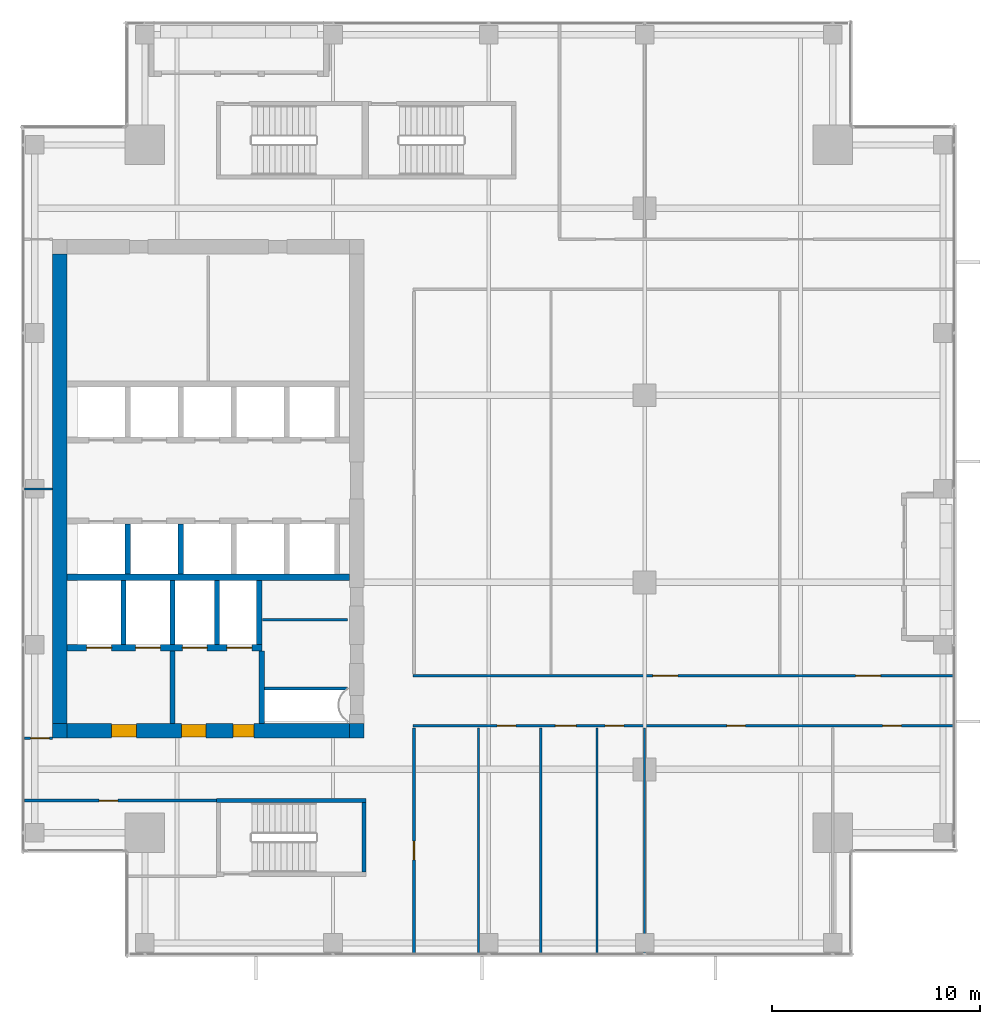
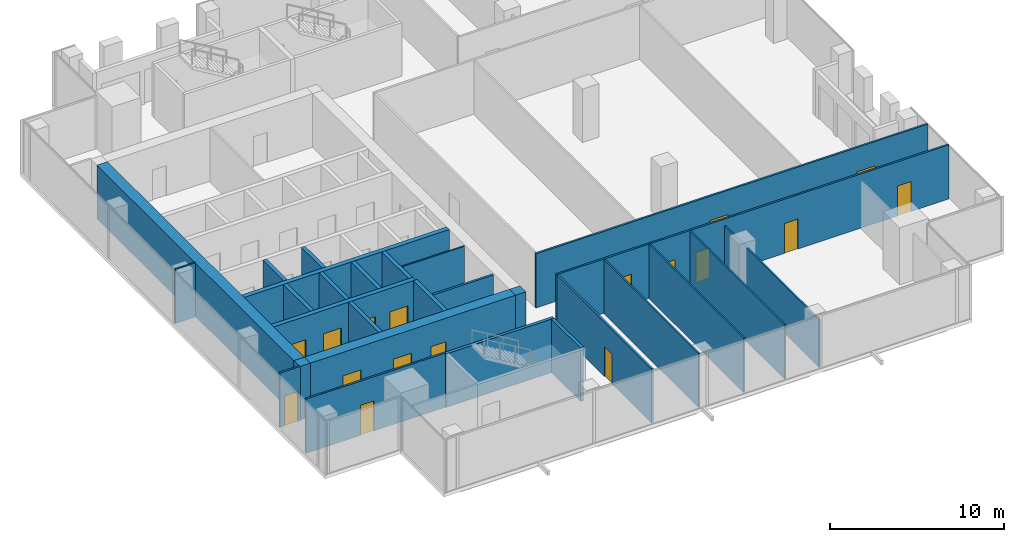
# One storey, part 31 of 36: 28 walls, 17 doors, 17 openings.
"""IFC4 building model written with IfcOpenShell, lengths in metres."""

import ifcopenshell
import ifcopenshell.guid

model = None  # the IFC model being written
_history = None  # IfcOwnerHistory: only IFC2X3 demands one
_inside = {}  # id of a spatial element -> (the spatial element, [elements in it])
_under = {}  # id of a project, library or spatial element -> (it, [spatial elements below it])
_declared = {}  # id of a project -> (the project, [libraries it declares])
_typed = {}  # id of a type object -> (the type object, [elements of that type])
_made_of = {}  # id of a material, layer set ... -> (it, [elements and type objects made of it])


def new_model(schema):
    """Start an empty IFC model of exactly this schema.

    Asked for "IFC4X3", IfcOpenShell would pick the latest addendum, in which some entities
    have other attributes; the version numbers below select the first issue.
    IFC2X3 requires an IfcOwnerHistory on every rooted entity: one is made here for all.
    """
    global model, _history
    if schema == "IFC4X3":
        model = ifcopenshell.file(schema_version=(4, 3, 0, 0))
    else:
        model = ifcopenshell.file(schema=schema)
    _inside.clear()
    _under.clear()
    _declared.clear()
    _typed.clear()
    _made_of.clear()
    _history = None
    if model.schema == "IFC2X3":
        org = make("IfcOrganization", Name="unknown")
        user = make(
            "IfcPersonAndOrganization",
            ThePerson=make("IfcPerson", FamilyName="unknown"),
            TheOrganization=org,
        )
        app = make(
            "IfcApplication",
            ApplicationDeveloper=org,
            Version="unknown",
            ApplicationFullName="unknown",
            ApplicationIdentifier="unknown",
        )
        _history = make(
            "IfcOwnerHistory",
            OwningUser=user,
            OwningApplication=app,
            ChangeAction="ADDED",
            CreationDate=0,
        )
    return model


def make(cls, **values):
    """One entity of the class cls with the attributes given. An attribute that is None is left unset."""
    return model.create_entity(
        cls, **{name: value for name, value in values.items() if value is not None}
    )


def rooted(cls, **values):
    """An entity with a GlobalId (a new one), such as an element, a storey or a relation."""
    return make(cls, GlobalId=ifcopenshell.guid.new(), OwnerHistory=_history, **values)


def si_unit(unit_type, name, prefix=None):
    """IfcSIUnit, for example si_unit("LENGTHUNIT", "METRE", prefix="MILLI")."""
    return make("IfcSIUnit", UnitType=unit_type, Prefix=prefix, Name=name)


def assignment(units):
    """IfcUnitAssignment: the units of a project."""
    return None if units is None else make("IfcUnitAssignment", Units=units)


def point(xyz):
    """IfcCartesianPoint."""
    return None if xyz is None else make("IfcCartesianPoint", Coordinates=xyz)


def direction(xyz):
    """IfcDirection."""
    return None if xyz is None else make("IfcDirection", DirectionRatios=xyz)


def frame(location, z_axis=None, x_axis=None):
    """IfcAxis2Placement3D, a coordinate frame: its origin and axes. An axis left out is left unset."""
    return make(
        "IfcAxis2Placement3D",
        Location=point(location),
        Axis=direction(z_axis),
        RefDirection=direction(x_axis),
    )


def frame_2d(location, x_axis=None):
    """IfcAxis2Placement2D, a coordinate frame in the plane: its origin and x axis."""
    return make(
        "IfcAxis2Placement2D", Location=point(location), RefDirection=direction(x_axis)
    )


def origin():
    """The frame at (0, 0, 0) with its axes left unset."""
    return frame((0.0, 0.0, 0.0))


def place(relative_to, where):
    """IfcLocalPlacement: puts the frame where relative to a parent placement (None: the world)."""
    return make(
        "IfcLocalPlacement", PlacementRelTo=relative_to, RelativePlacement=where
    )


def context(
    kind, dimensions, precision=None, world=None, true_north=None, identifier=None
):
    """IfcGeometricRepresentationContext, for example the 3D "Model" context."""
    return make(
        "IfcGeometricRepresentationContext",
        ContextIdentifier=identifier,
        ContextType=kind,
        CoordinateSpaceDimension=dimensions,
        Precision=precision,
        WorldCoordinateSystem=world,
        TrueNorth=true_north,
    )


def subcontext(parent, identifier, kind, view, scale=None):
    """IfcGeometricRepresentationSubContext, for example "Body" below "Model"."""
    return make(
        "IfcGeometricRepresentationSubContext",
        ContextIdentifier=identifier,
        ContextType=kind,
        ParentContext=parent,
        TargetScale=scale,
        TargetView=view,
    )


def project(units=None, contexts=None):
    """IfcProject with its units and contexts."""
    return rooted(
        "IfcProject",
        Name="project",
        RepresentationContexts=contexts,
        UnitsInContext=assignment(units),
    )


def spatial(cls, under=None, at=None, **own):
    """A site, building, storey or space (cls), placed at a placement, below another one or the project."""
    s = rooted(cls, ObjectPlacement=at, **own)
    if under is not None:
        _under.setdefault(under.id(), (under, []))[1].append(s)
    return s


def profile(cls, at=None, kind="AREA", **sizes):
    """A parametric profile (cls). Its sizes go by their IFC names, for example OverallWidth=200.0."""
    return make(cls, ProfileType=kind, Position=at, **sizes)


def rectangle(**sizes):
    """IfcRectangleProfileDef."""
    return profile("IfcRectangleProfileDef", **sizes)


def extrude(swept, where, along, depth):
    """IfcExtrudedAreaSolid: the profile swept, set in the frame where, extruded along a direction by depth."""
    return make(
        "IfcExtrudedAreaSolid",
        SweptArea=swept,
        Position=where,
        ExtrudedDirection=direction(along),
        Depth=depth,
    )


def shape(context_of_items, identifier, shape_type, items):
    """IfcShapeRepresentation: the items that make up one representation, for example the "Body"."""
    return make(
        "IfcShapeRepresentation",
        ContextOfItems=context_of_items,
        RepresentationIdentifier=identifier,
        RepresentationType=shape_type,
        Items=items,
    )


def source(mapping_origin, context_of_items, identifier, shape_type, items):
    """IfcRepresentationMap: a shape defined once, which mapped items show again and again."""
    return make(
        "IfcRepresentationMap",
        MappingOrigin=mapping_origin,
        MappedRepresentation=shape(context_of_items, identifier, shape_type, items),
    )


def transform(
    local_origin,
    x_axis=None,
    y_axis=None,
    z_axis=None,
    scale=None,
    scale2=None,
    scale3=None,
    uniform=True,
):
    """IfcCartesianTransformationOperator3D, or its non-uniform kind. x_axis, y_axis, z_axis: its Axis1, 2, 3."""
    if uniform:
        return make(
            "IfcCartesianTransformationOperator3D",
            Axis1=direction(x_axis),
            Axis2=direction(y_axis),
            LocalOrigin=point(local_origin),
            Scale=scale,
            Axis3=direction(z_axis),
        )
    return make(
        "IfcCartesianTransformationOperator3DnonUniform",
        Axis1=direction(x_axis),
        Axis2=direction(y_axis),
        LocalOrigin=point(local_origin),
        Scale=scale,
        Axis3=direction(z_axis),
        Scale2=scale2,
        Scale3=scale3,
    )


def mapped(mapping_source, mapping_target):
    """IfcMappedItem: shows the shape of a source again, moved by a transform."""
    return make(
        "IfcMappedItem", MappingSource=mapping_source, MappingTarget=mapping_target
    )


def material(Name=None, Category=None):
    """IfcMaterial."""
    return make("IfcMaterial", Name=Name, Category=Category)


def layer(
    of_material, thickness, ventilated=None, Name=None, Category=None, Priority=None
):
    """IfcMaterialLayer: one layer of a wall or slab, of a material (None: an air gap)."""
    return make(
        "IfcMaterialLayer",
        Material=of_material,
        LayerThickness=thickness,
        IsVentilated=ventilated,
        Name=Name,
        Category=Category,
        Priority=Priority,
    )


def layer_set(layers, Name=None):
    """IfcMaterialLayerSet."""
    return make("IfcMaterialLayerSet", MaterialLayers=layers, LayerSetName=Name)


def made_of(thing, what):
    """Note that an element or type object is made of a material, layer set ...; save() writes the relation."""
    if what is not None:
        _made_of.setdefault(what.id(), (what, []))[1].append(thing)
    return thing


def type_object(cls, material=None, **own):
    """A type object (cls), such as IfcWallType, which elements share."""
    return made_of(rooted(cls, **own), material)


def element(
    cls,
    number,
    at=None,
    inside=None,
    cuts=None,
    type_object=None,
    material=None,
    context=None,
    identifier="Body",
    shape_type=None,
    held_by="IfcProductDefinitionShape",
    body=None,
    shapes=None,
    **own,
):
    """One element of the class cls, such as IfcWall. Its Tag is "e" and its number.

    at: its placement. inside: the storey or other place that contains it. cuts: it is an
    opening in that element (IfcRelVoidsElement). A single representation is given by context,
    identifier, shape_type and body (its items); several are given by shapes. held_by: the class
    of the entity that holds the representations. save() writes the other relations.
    """
    e = rooted(cls, Tag="e%d" % number, ObjectPlacement=at, **own)
    if body is not None:
        shapes = [shape(context, identifier, shape_type, body)]
    if shapes is not None:
        e.Representation = make(held_by, Representations=shapes)
    if inside is not None:
        _inside.setdefault(inside.id(), (inside, []))[1].append(e)
    if cuts is not None:
        rooted(
            "IfcRelVoidsElement", RelatingBuildingElement=cuts, RelatedOpeningElement=e
        )
    if type_object is not None:
        _typed.setdefault(type_object.id(), (type_object, []))[1].append(e)
    return made_of(e, material)


def fill(opening, filler):
    """IfcRelFillsElement: the door or window that sits in an opening."""
    return rooted(
        "IfcRelFillsElement",
        RelatingOpeningElement=opening,
        RelatedBuildingElement=filler,
    )


def aggregate(whole, parts):
    """IfcRelAggregates: a whole, such as a stair, and the parts it consists of."""
    return rooted("IfcRelAggregates", RelatingObject=whole, RelatedObjects=parts)


def save(model, path):
    """Write the relations noted so far, then the file.

    IfcRelAggregates (storeys below a building ...), IfcRelContainedInSpatialStructure (elements
    in a storey), IfcRelDefinesByType, IfcRelAssociatesMaterial and IfcRelDeclares: one each for
    every whole, place, type object, material and project.
    """
    for whole, parts in _under.values():
        aggregate(whole, parts)
    for where, things in _inside.values():
        rooted(
            "IfcRelContainedInSpatialStructure",
            RelatedElements=things,
            RelatingStructure=where,
        )
    for kind, things in _typed.values():
        rooted("IfcRelDefinesByType", RelatedObjects=things, RelatingType=kind)
    for what, things in _made_of.values():
        rooted("IfcRelAssociatesMaterial", RelatedObjects=things, RelatingMaterial=what)
    for by, libraries in _declared.values():
        rooted("IfcRelDeclares", RelatingContext=by, RelatedDefinitions=libraries)
    model.write(path)


model = new_model("IFC4")

# Units and contexts
model_context = context("Model", 3, precision=1e-05, world=origin(), true_north=direction((0.0, 1.0)))
body_context = subcontext(model_context, "Body", "Model", "MODEL_VIEW")
ifc_project = project(units=[si_unit("LENGTHUNIT", "METRE"), si_unit("AREAUNIT", "SQUARE_METRE"), si_unit("VOLUMEUNIT", "CUBIC_METRE"), si_unit("PLANEANGLEUNIT", "RADIAN"), si_unit("MASSUNIT", "GRAM", prefix="KILO")], contexts=[model_context])

# Site, building, storey
site_placement = place(None, origin())
site = spatial("IfcSite", under=ifc_project, at=site_placement, CompositionType="ELEMENT")
building_placement = place(site_placement, origin())
building = spatial("IfcBuilding", under=site, at=building_placement, Name="Khomas Fold Tower", CompositionType="ELEMENT")
storey_placement = place(building_placement, frame((0.0, 0.0, 226.199951171875)))
storey = spatial("IfcBuildingStorey", under=building, at=storey_placement, Name="L50", CompositionType="ELEMENT", Elevation=226.199951171875)

# Walls
ifc_material_1 = material(Name="Concrete C50/60", Category="concrete")
ifc_layer_1 = layer(ifc_material_1, 0.199951171875)
ifc_layer_set_1 = layer_set([ifc_layer_1], Name="Concrete C50/60")
wall_type_1 = type_object("IfcWallType", Name="Stair wall 200", PredefinedType="SHEAR", material=ifc_layer_set_1)
shared_shape_1 = source(origin(), body_context, "Body", "SweptSolid", [
    extrude(rectangle(XDim=7.2001953125, YDim=0.199951171875, at=frame_2d((3.60009765625, 0.0))), origin(), (0.0, 0.0, 1.0), 3.75),
])
wall_1_placement = place(storey_placement, frame((13.89990234375, 12.0, 0.0), z_axis=(0.0, 0.0, 1.0), x_axis=(1.0, 0.0, 0.0)))
element("IfcWall", 1, at=wall_1_placement, inside=storey, type_object=wall_type_1, Name="Stair wall SW-ST2-NH", PredefinedType="SHEAR", context=body_context, shape_type="MappedRepresentation", body=[
    mapped(shared_shape_1, transform((0.0, 0.0, 0.0))),
])
shared_shape_2 = source(origin(), body_context, "Body", "SweptSolid", [
    extrude(rectangle(XDim=3.349853515625, YDim=0.199951171875, at=frame_2d((1.6748046875, 0.0))), origin(), (0.0, 0.0, 1.0), 3.75),
])
wall_2_placement = place(storey_placement, frame((21.0, 8.550048828125, 0.0), z_axis=(0.0, 0.0, 1.0), x_axis=(0.0, 1.0, 0.0)))
element("IfcWall", 2, at=wall_2_placement, inside=storey, type_object=wall_type_1, Name="Stair wall SW-ST2-E", PredefinedType="SHEAR", context=body_context, shape_type="MappedRepresentation", body=[
    mapped(shared_shape_2, transform((0.0, 0.0, 0.0))),
])
ifc_material_2 = material(Name="Concrete C50/60", Category="concrete")
ifc_layer_2 = layer(ifc_material_2, 0.25)
ifc_layer_set_2 = layer_set([ifc_layer_2], Name="Concrete C50/60")
wall_type_2 = type_object("IfcWallType", Name="Shaft wall 250", PredefinedType="STANDARD", material=ifc_layer_set_2)
shared_shape_3 = source(origin(), body_context, "Body", "SweptSolid", [
    extrude(rectangle(XDim=3.10009765625, YDim=0.25, at=frame_2d((1.550048828125, 0.0))), origin(), (0.0, 0.0, 1.0), 3.75),
])
for number, where, z_axis, x_axis, name in (
    (3, (9.425048828125, 19.5, 0.0), (0.0, 0.0, 1.0), (0.0, 1.0, 0.0), "Core wall SW-FS-P1"),
    (4, (11.77490234375, 19.5, 0.0), (0.0, 0.0, 1.0), (0.0, 1.0, 0.0), "Core wall SW-FS-P2"),
    (5, (13.925048828125, 19.5, 0.0), (0.0, 0.0, 1.0), (0.0, 1.0, 0.0), "Core wall SW-FS-P3"),
    (6, (15.949951171875, 19.5, 0.0), (0.0, 0.0, 1.0), (0.0, 1.0, 0.0), "Core wall SW-FS-PE"),
):
    element("IfcWall", number, at=place(storey_placement, frame(where, z_axis=z_axis, x_axis=x_axis)), inside=storey, type_object=wall_type_2, Name=name, PredefinedType="STANDARD", context=body_context, shape_type="MappedRepresentation", body=[
        mapped(shared_shape_3, transform((0.0, 0.0, 0.0))),
    ])
shared_shape_4 = source(origin(), body_context, "Body", "SweptSolid", [
    extrude(rectangle(XDim=2.400146484375, YDim=0.25, at=frame_2d((1.2001953125, 0.0))), origin(), (0.0, 0.0, 1.0), 3.75),
])
for number, where, z_axis, x_axis, name in (
    (7, (9.625, 22.89990234375, 0.0), (0.0, 0.0, 1.0), (0.0, 1.0, 0.0), "Core wall SW-HRS-P1"),
    (8, (12.175048828125, 22.89990234375, 0.0), (0.0, 0.0, 1.0), (0.0, 1.0, 0.0), "Core wall SW-HRS-P2"),
):
    element("IfcWall", number, at=place(storey_placement, frame(where, z_axis=z_axis, x_axis=x_axis)), inside=storey, type_object=wall_type_2, Name=name, PredefinedType="STANDARD", context=body_context, shape_type="MappedRepresentation", body=[
        mapped(shared_shape_4, transform((0.0, 0.0, 0.0))),
    ])

# Wall, openings, doors
ifc_material_3 = material(Name="Concrete C60/75", Category="concrete")
ifc_layer_3 = layer(ifc_material_3, 0.699951171875)
ifc_layer_set_3 = layer_set([ifc_layer_3], Name="Concrete C60/75")
wall_type_3 = type_object("IfcWallType", Name="Core wall 700", PredefinedType="SHEAR", material=ifc_layer_set_3)
shared_shape_5 = source(origin(), body_context, "Body", "SweptSolid", [
    extrude(rectangle(XDim=13.60009765625, YDim=0.699951171875, at=frame_2d((6.800048828125, 0.0))), origin(), (0.0, 0.0, 1.0), 3.75),
])
wall_3_placement = place(storey_placement, frame((6.699951171875, 15.35009765625, 0.0), z_axis=(0.0, 0.0, 1.0), x_axis=(1.0, 0.0, 0.0)))
wall_3 = element("IfcWall", 9, at=wall_3_placement, inside=storey, type_object=wall_type_3, Name="Core wall CW-U-S-L49", PredefinedType="SHEAR", context=body_context, shape_type="MappedRepresentation", body=[
    mapped(shared_shape_5, transform((0.0, 0.0, 0.0))),
])
shared_shape_6 = source(origin(), body_context, "Body", "SweptSolid", [
    extrude(rectangle(XDim=1.199951171875, YDim=2.10009765625, at=frame_2d((0.60009765625, 1.050048828125))), frame((0.0, 0.35986328125, 0.0), z_axis=(0.0, -1.0, 0.0), x_axis=(1.0, 0.0, 0.0)), (0.0, 0.0, 1.0), 0.719970703125),
])
opening_1_placement = place(wall_3_placement, frame((5.5, 0.0, 0.0)))
opening_1 = element("IfcOpeningElement", 10, at=opening_1_placement, cuts=wall_3, Name="Opening 0009", PredefinedType="OPENING", context=body_context, shape_type="MappedRepresentation", body=[
    mapped(shared_shape_6, transform((0.0, 0.0, 0.0))),
])
opening_2_placement = place(wall_3_placement, frame((2.14990234375, 0.0, 0.0)))
opening_2 = element("IfcOpeningElement", 11, at=opening_2_placement, cuts=wall_3, Name="Opening 0009", PredefinedType="OPENING", context=body_context, shape_type="MappedRepresentation", body=[
    mapped(shared_shape_6, transform((0.0, 0.0, 0.0))),
])
shared_shape_7 = source(origin(), body_context, "Body", "SweptSolid", [
    extrude(rectangle(XDim=1.0, YDim=2.10009765625, at=frame_2d((0.5, 1.050048828125))), frame((0.0, 0.35986328125, 0.0), z_axis=(0.0, -1.0, 0.0), x_axis=(1.0, 0.0, 0.0)), (0.0, 0.0, 1.0), 0.719970703125),
])
opening_3_placement = place(wall_3_placement, frame((8.0, 0.0, 0.0)))
opening_3 = element("IfcOpeningElement", 12, at=opening_3_placement, cuts=wall_3, Name="Opening 0010", PredefinedType="OPENING", context=body_context, shape_type="MappedRepresentation", body=[
    mapped(shared_shape_7, transform((0.0, 0.0, 0.0))),
])
ifc_material_4 = material(Name="Steel door leaf", Category="steel")
door_type_1 = type_object("IfcDoorType", Name="Lobby door 1200x2100 right-hand", OperationType="SINGLE_SWING_RIGHT", PredefinedType="DOOR", material=ifc_material_4)
shared_shape_8 = source(origin(), body_context, "Body", "SweptSolid", [
    extrude(rectangle(XDim=1.199951171875, YDim=2.10009765625, at=frame_2d((0.60009765625, 1.050048828125))), frame((0.0, 0.2998046875, 0.0), z_axis=(0.0, -1.0, 0.0), x_axis=(1.0, 0.0, 0.0)), (0.0, 0.0, 1.0), 0.599853515625),
])
door_1_placement = place(opening_1_placement, origin())
door_1 = element("IfcDoor", 13, at=door_1_placement, inside=storey, type_object=door_type_1, Name="Lobby door", OperationType="SINGLE_SWING_RIGHT", OverallHeight=2.10009765625, OverallWidth=1.199951171875, PredefinedType="DOOR", context=body_context, shape_type="MappedRepresentation", body=[
    mapped(shared_shape_8, transform((0.0, 0.0, 0.0))),
])
fill(opening_1, door_1)
door_2_placement = place(opening_2_placement, origin())
door_2 = element("IfcDoor", 14, at=door_2_placement, inside=storey, type_object=door_type_1, Name="Lobby door", OperationType="SINGLE_SWING_RIGHT", OverallHeight=2.10009765625, OverallWidth=1.199951171875, PredefinedType="DOOR", context=body_context, shape_type="MappedRepresentation", body=[
    mapped(shared_shape_8, transform((0.0, 0.0, 0.0))),
])
fill(opening_2, door_2)
ifc_material_5 = material(Name="Steel door leaf", Category="steel")
door_type_2 = type_object("IfcDoorType", Name="Stair door 1000x2100 right-hand", OperationType="SINGLE_SWING_RIGHT", PredefinedType="DOOR", material=ifc_material_5)
shared_shape_9 = source(origin(), body_context, "Body", "SweptSolid", [
    extrude(rectangle(XDim=1.0, YDim=2.10009765625, at=frame_2d((0.5, 1.050048828125))), frame((0.0, 0.2998046875, 0.0), z_axis=(0.0, -1.0, 0.0), x_axis=(1.0, 0.0, 0.0)), (0.0, 0.0, 1.0), 0.599853515625),
])
door_3_placement = place(opening_3_placement, origin())
door_3 = element("IfcDoor", 15, at=door_3_placement, inside=storey, type_object=door_type_2, Name="Stair door", OperationType="SINGLE_SWING_RIGHT", OverallHeight=2.10009765625, OverallWidth=1.0, PredefinedType="DOOR", context=body_context, shape_type="MappedRepresentation", body=[
    mapped(shared_shape_9, transform((0.0, 0.0, 0.0))),
])
fill(opening_3, door_3)

# Walls
ifc_material_6 = material(Name="Concrete C60/75", Category="concrete")
ifc_layer_4 = layer(ifc_material_6, 0.699951171875)
ifc_layer_set_4 = layer_set([ifc_layer_4], Name="Concrete C60/75")
wall_type_4 = type_object("IfcWallType", Name="Core corner wall 700", PredefinedType="SHEAR", material=ifc_layer_set_4)
shared_shape_10 = source(origin(), body_context, "Body", "SweptSolid", [
    extrude(rectangle(XDim=0.699951171875, YDim=0.699951171875, at=frame_2d((0.35009765625, 0.0))), origin(), (0.0, 0.0, 1.0), 3.75),
])
for number, where, z_axis, x_axis, name in (
    (16, (20.300048828125, 15.35009765625, 0.0), (0.0, 0.0, 1.0), (1.0, 0.0, 0.0), "Core wall CW-U-SE-L49"),
    (17, (6.0, 15.35009765625, 0.0), (0.0, 0.0, 1.0), (1.0, 0.0, 0.0), "Core wall CW-U-SW-L49"),
):
    element("IfcWall", number, at=place(storey_placement, frame(where, z_axis=z_axis, x_axis=x_axis)), inside=storey, type_object=wall_type_4, Name=name, PredefinedType="SHEAR", context=body_context, shape_type="MappedRepresentation", body=[
        mapped(shared_shape_10, transform((0.0, 0.0, 0.0))),
    ])
shared_shape_11 = source(origin(), body_context, "Body", "SweptSolid", [
    extrude(rectangle(XDim=22.60009765625, YDim=0.699951171875, at=frame_2d((11.300048828125, 0.0))), origin(), (0.0, 0.0, 1.0), 3.75),
])
wall_4_placement = place(storey_placement, frame((6.35009765625, 15.699951171875, 0.0), z_axis=(0.0, 0.0, 1.0), x_axis=(0.0, 1.0, 0.0)))
element("IfcWall", 18, at=wall_4_placement, inside=storey, type_object=wall_type_3, Name="Core wall CW-U-W-L49", PredefinedType="SHEAR", context=body_context, shape_type="MappedRepresentation", body=[
    mapped(shared_shape_11, transform((0.0, 0.0, 0.0))),
])
ifc_material_7 = material(Name="Concrete C50/60", Category="concrete")
ifc_layer_5 = layer(ifc_material_7, 0.300048828125)
ifc_layer_set_5 = layer_set([ifc_layer_5], Name="Concrete C50/60")
wall_type_5 = type_object("IfcWallType", Name="Shaft wall 300", PredefinedType="STANDARD", material=ifc_layer_set_5)
shared_shape_12 = source(origin(), body_context, "Body", "SweptSolid", [
    extrude(rectangle(XDim=13.60009765625, YDim=0.300048828125, at=frame_2d((6.800048828125, 0.0))), origin(), (0.0, 0.0, 1.0), 3.75),
])
wall_5_placement = place(storey_placement, frame((6.699951171875, 22.75, 0.0), z_axis=(0.0, 0.0, 1.0), x_axis=(1.0, 0.0, 0.0)))
element("IfcWall", 19, at=wall_5_placement, inside=storey, type_object=wall_type_5, Name="Core wall SW-FS-B", PredefinedType="STANDARD", context=body_context, shape_type="MappedRepresentation", body=[
    mapped(shared_shape_12, transform((0.0, 0.0, 0.0))),
])

# Wall, openings, doors
shared_shape_13 = source(origin(), body_context, "Body", "SweptSolid", [
    extrude(rectangle(XDim=9.375, YDim=0.300048828125, at=frame_2d((4.6875, 0.0))), origin(), (0.0, 0.0, 1.0), 3.75),
])
wall_6_placement = place(storey_placement, frame((6.699951171875, 19.35009765625, 0.0), z_axis=(0.0, 0.0, 1.0), x_axis=(1.0, 0.0, 0.0)))
wall_6 = element("IfcWall", 20, at=wall_6_placement, inside=storey, type_object=wall_type_5, Name="Core wall SW-FS-F", PredefinedType="STANDARD", context=body_context, shape_type="MappedRepresentation", body=[
    mapped(shared_shape_13, transform((0.0, 0.0, 0.0))),
])
shared_shape_14 = source(origin(), body_context, "Body", "SweptSolid", [
    extrude(rectangle(XDim=1.199951171875, YDim=2.10009765625, at=frame_2d((0.60009765625, 1.050048828125))), frame((0.0, 0.159912109375, 0.0), z_axis=(0.0, -1.0, 0.0), x_axis=(1.0, 0.0, 0.0)), (0.0, 0.0, 1.0), 0.320068359375),
])
opening_4_placement = place(wall_6_placement, frame((0.949951171875, 0.0, 0.0)))
opening_4 = element("IfcOpeningElement", 21, at=opening_4_placement, cuts=wall_6, Name="Opening LD-SV1", PredefinedType="OPENING", context=body_context, shape_type="MappedRepresentation", body=[
    mapped(shared_shape_14, transform((0.0, 0.0, 0.0))),
])
opening_5_placement = place(wall_6_placement, frame((3.300048828125, 0.0, 0.0)))
opening_5 = element("IfcOpeningElement", 22, at=opening_5_placement, cuts=wall_6, Name="Opening LD-SV2", PredefinedType="OPENING", context=body_context, shape_type="MappedRepresentation", body=[
    mapped(shared_shape_14, transform((0.0, 0.0, 0.0))),
])
opening_6_placement = place(wall_6_placement, frame((5.550048828125, 0.0, 0.0)))
opening_6 = element("IfcOpeningElement", 23, at=opening_6_placement, cuts=wall_6, Name="Opening LD-FF1", PredefinedType="OPENING", context=body_context, shape_type="MappedRepresentation", body=[
    mapped(shared_shape_14, transform((0.0, 0.0, 0.0))),
])
opening_7_placement = place(wall_6_placement, frame((7.699951171875, 0.0, 0.0)))
opening_7 = element("IfcOpeningElement", 24, at=opening_7_placement, cuts=wall_6, Name="Opening LD-FF2", PredefinedType="OPENING", context=body_context, shape_type="MappedRepresentation", body=[
    mapped(shared_shape_14, transform((0.0, 0.0, 0.0))),
])
ifc_material_8 = material(Name="Steel door leaf", Category="steel")
door_type_3 = type_object("IfcDoorType", Name="Landing door 1200x2100", OperationType="DOUBLE_DOOR_SLIDING", PredefinedType="DOOR", material=ifc_material_8)
shared_shape_15 = source(origin(), body_context, "Body", "SweptSolid", [
    extrude(rectangle(XDim=1.199951171875, YDim=2.10009765625, at=frame_2d((0.60009765625, 1.050048828125))), frame((0.0, 0.02490234375, 0.0), z_axis=(0.0, -1.0, 0.0), x_axis=(1.0, 0.0, 0.0)), (0.0, 0.0, 1.0), 0.050048828125),
])
door_4_placement = place(opening_4_placement, origin())
door_4 = element("IfcDoor", 25, at=door_4_placement, inside=storey, type_object=door_type_3, Name="Lift landing door", OperationType="DOUBLE_DOOR_SLIDING", OverallHeight=2.10009765625, OverallWidth=1.199951171875, PredefinedType="DOOR", context=body_context, shape_type="MappedRepresentation", body=[
    mapped(shared_shape_15, transform((0.0, 0.0, 0.0))),
])
fill(opening_4, door_4)
door_5_placement = place(opening_5_placement, origin())
door_5 = element("IfcDoor", 26, at=door_5_placement, inside=storey, type_object=door_type_3, Name="Lift landing door", OperationType="DOUBLE_DOOR_SLIDING", OverallHeight=2.10009765625, OverallWidth=1.199951171875, PredefinedType="DOOR", context=body_context, shape_type="MappedRepresentation", body=[
    mapped(shared_shape_15, transform((0.0, 0.0, 0.0))),
])
fill(opening_5, door_5)
door_6_placement = place(opening_6_placement, origin())
door_6 = element("IfcDoor", 27, at=door_6_placement, inside=storey, type_object=door_type_3, Name="Lift landing door", OperationType="DOUBLE_DOOR_SLIDING", OverallHeight=2.10009765625, OverallWidth=1.199951171875, PredefinedType="DOOR", context=body_context, shape_type="MappedRepresentation", body=[
    mapped(shared_shape_15, transform((0.0, 0.0, 0.0))),
])
fill(opening_6, door_6)
door_7_placement = place(opening_7_placement, origin())
door_7 = element("IfcDoor", 28, at=door_7_placement, inside=storey, type_object=door_type_3, Name="Lift landing door", OperationType="DOUBLE_DOOR_SLIDING", OverallHeight=2.10009765625, OverallWidth=1.199951171875, PredefinedType="DOOR", context=body_context, shape_type="MappedRepresentation", body=[
    mapped(shared_shape_15, transform((0.0, 0.0, 0.0))),
])
fill(opening_7, door_7)

# Walls
ifc_material_9 = material(Name="Concrete C50/60", Category="concrete")
ifc_layer_6 = layer(ifc_material_9, 0.25)
ifc_layer_set_6 = layer_set([ifc_layer_6], Name="Concrete C50/60")
wall_type_6 = type_object("IfcWallType", Name="Lobby wall 250", PredefinedType="STANDARD", material=ifc_layer_set_6)
shared_shape_16 = source(origin(), body_context, "Body", "SweptSolid", [
    extrude(rectangle(XDim=3.5, YDim=0.25, at=frame_2d((1.75, 0.0))), origin(), (0.0, 0.0, 1.0), 3.75),
])
for number, where, z_axis, x_axis, name in (
    (29, (16.074951171875, 15.699951171875, 0.0), (0.0, 0.0, 1.0), (0.0, 1.0, 0.0), "Core wall SW-FS-LOB-E"),
    (30, (11.77490234375, 15.699951171875, 0.0), (0.0, 0.0, 1.0), (0.0, 1.0, 0.0), "Core wall SW-FS-SEP"),
):
    element("IfcWall", number, at=place(storey_placement, frame(where, z_axis=z_axis, x_axis=x_axis)), inside=storey, type_object=wall_type_6, Name=name, PredefinedType="STANDARD", context=body_context, shape_type="MappedRepresentation", body=[
        mapped(shared_shape_16, transform((0.0, 0.0, 0.0))),
    ])
ifc_material_10 = material(Name="Plasterboard fire partition")
ifc_layer_7 = layer(ifc_material_10, 0.14990234375)
ifc_layer_set_7 = layer_set([ifc_layer_7], Name="Plasterboard fire partition")
wall_type_7 = type_object("IfcWallType", Name="Plant room wall PW3 150", PredefinedType="PARTITIONING", material=ifc_layer_set_7)
shared_shape_17 = source(origin(), body_context, "Body", "SweptSolid", [
    extrude(rectangle(XDim=4.0, YDim=0.14990234375, at=frame_2d((2.0, 0.0))), origin(), (0.0, 0.0, 1.0), 3.800048828125),
])
wall_7_placement = place(storey_placement, frame((16.199951171875, 17.39990234375, 0.0), z_axis=(0.0, 0.0, 1.0), x_axis=(1.0, 0.0, 0.0)))
element("IfcWall", 31, at=wall_7_placement, inside=storey, type_object=wall_type_7, Name="Plant room wall", PredefinedType="PARTITIONING", context=body_context, shape_type="MappedRepresentation", body=[
    mapped(shared_shape_17, transform((0.0, 0.0, 0.0))),
])
ifc_material_11 = material(Name="Plasterboard partition")
ifc_layer_8 = layer(ifc_material_11, 0.10009765625)
ifc_layer_set_8 = layer_set([ifc_layer_8], Name="Plasterboard partition")
wall_type_8 = type_object("IfcWallType", Name="Partition PW1 100", PredefinedType="PARTITIONING", material=ifc_layer_set_8)
shared_shape_18 = source(origin(), body_context, "Body", "SweptSolid", [
    extrude(rectangle(XDim=4.099853515625, YDim=0.10009765625, at=frame_2d((2.0498046875, 0.0))), origin(), (0.0, 0.0, 1.0), 3.800048828125),
])
wall_8_placement = place(storey_placement, frame((16.10009765625, 20.699951171875, 0.0), z_axis=(0.0, 0.0, 1.0), x_axis=(1.0, 0.0, 0.0)))
element("IfcWall", 32, at=wall_8_placement, inside=storey, type_object=wall_type_8, Name="Partition", PredefinedType="PARTITIONING", context=body_context, shape_type="MappedRepresentation", body=[
    mapped(shared_shape_18, transform((0.0, 0.0, 0.0))),
])

# Wall, opening, door
ifc_material_12 = material(Name="Plasterboard partition")
ifc_layer_9 = layer(ifc_material_12, 0.125)
ifc_layer_set_9 = layer_set([ifc_layer_9], Name="Plasterboard partition")
wall_type_9 = type_object("IfcWallType", Name="Partition PW2 125", PredefinedType="PARTITIONING", material=ifc_layer_set_9)
shared_shape_19 = source(origin(), body_context, "Body", "SweptSolid", [
    extrude(rectangle(XDim=9.25, YDim=0.125, at=frame_2d((4.625, 0.0))), origin(), (0.0, 0.0, 1.0), 3.800048828125),
])
wall_9_placement = place(storey_placement, frame((4.64990234375, 12.0, 0.0), z_axis=(0.0, 0.0, 1.0), x_axis=(1.0, 0.0, 0.0)))
wall_9 = element("IfcWall", 33, at=wall_9_placement, inside=storey, type_object=wall_type_9, Name="Partition", PredefinedType="PARTITIONING", context=body_context, shape_type="MappedRepresentation", body=[
    mapped(shared_shape_19, transform((0.0, 0.0, 0.0))),
])
shared_shape_20 = source(origin(), body_context, "Body", "SweptSolid", [
    extrude(rectangle(XDim=0.89990234375, YDim=2.10009765625, at=frame_2d((0.449951171875, 1.050048828125))), frame((0.0, 0.072509765625, 0.0), z_axis=(0.0, -1.0, 0.0), x_axis=(1.0, 0.0, 0.0)), (0.0, 0.0, 1.0), 0.14501953125),
])
opening_8_placement = place(wall_9_placement, frame((3.60009765625, 0.0, 0.0)))
opening_8 = element("IfcOpeningElement", 34, at=opening_8_placement, cuts=wall_9, Name="Opening 0007", PredefinedType="OPENING", context=body_context, shape_type="MappedRepresentation", body=[
    mapped(shared_shape_20, transform((0.0, 0.0, 0.0))),
])
ifc_material_13 = material(Name="Timber door leaf", Category="wood")
door_type_4 = type_object("IfcDoorType", Name="Door 900x2100 left-hand", OperationType="SINGLE_SWING_LEFT", PredefinedType="DOOR", material=ifc_material_13)
shared_shape_21 = source(origin(), body_context, "Body", "SweptSolid", [
    extrude(rectangle(XDim=0.89990234375, YDim=2.10009765625, at=frame_2d((0.449951171875, 1.050048828125))), frame((0.0, 0.02490234375, 0.0), z_axis=(0.0, -1.0, 0.0), x_axis=(1.0, 0.0, 0.0)), (0.0, 0.0, 1.0), 0.050048828125),
])
door_8_placement = place(opening_8_placement, origin())
door_8 = element("IfcDoor", 35, at=door_8_placement, inside=storey, type_object=door_type_4, Name="Door", OperationType="SINGLE_SWING_LEFT", OverallHeight=2.10009765625, OverallWidth=0.89990234375, PredefinedType="DOOR", context=body_context, shape_type="MappedRepresentation", body=[
    mapped(shared_shape_21, transform((0.0, 0.0, 0.0))),
])
fill(opening_8, door_8)

shared_shape_22 = source(origin(), body_context, "Body", "SweptSolid", [
    extrude(rectangle(XDim=10.85009765625, YDim=0.125, at=frame_2d((5.425048828125, 0.0))), origin(), (0.0, 0.0, 1.0), 3.800048828125),
])
wall_10_placement = place(storey_placement, frame((23.39990234375, 4.64990234375, 0.0), z_axis=(0.0, 0.0, 1.0), x_axis=(0.0, 1.0, 0.0)))
wall_10 = element("IfcWall", 36, at=wall_10_placement, inside=storey, type_object=wall_type_9, Name="Partition", PredefinedType="PARTITIONING", context=body_context, shape_type="MappedRepresentation", body=[
    mapped(shared_shape_22, transform((0.0, 0.0, 0.0))),
])
opening_9_placement = place(wall_10_placement, frame((4.5, 0.0, 0.0)))
opening_9 = element("IfcOpeningElement", 37, at=opening_9_placement, cuts=wall_10, Name="Opening 0005", PredefinedType="OPENING", context=body_context, shape_type="MappedRepresentation", body=[
    mapped(shared_shape_20, transform((0.0, 0.0, 0.0))),
])
ifc_material_14 = material(Name="Timber door leaf", Category="wood")
door_type_5 = type_object("IfcDoorType", Name="WC door 900x2100 left-hand", OperationType="SINGLE_SWING_LEFT", PredefinedType="DOOR", material=ifc_material_14)
door_9_placement = place(opening_9_placement, origin())
door_9 = element("IfcDoor", 38, at=door_9_placement, inside=storey, type_object=door_type_5, Name="WC door", OperationType="SINGLE_SWING_LEFT", OverallHeight=2.10009765625, OverallWidth=0.89990234375, PredefinedType="DOOR", context=body_context, shape_type="MappedRepresentation", body=[
    mapped(shared_shape_21, transform((0.0, 0.0, 0.0))),
])
fill(opening_9, door_9)

# Walls
shared_shape_23 = source(origin(), body_context, "Body", "SweptSolid", [
    extrude(rectangle(XDim=10.85009765625, YDim=0.10009765625, at=frame_2d((5.425048828125, 0.0))), origin(), (0.0, 0.0, 1.0), 3.800048828125),
])
for number, where, z_axis, x_axis, name in (
    (39, (26.5, 4.64990234375, 0.0), (0.0, 0.0, 1.0), (0.0, 1.0, 0.0), "Partition"),
    (40, (29.5, 4.64990234375, 0.0), (0.0, 0.0, 1.0), (0.0, 1.0, 0.0), "Partition"),
    (41, (32.199951171875, 4.64990234375, 0.0), (0.0, 0.0, 1.0), (0.0, 1.0, 0.0), "Partition"),
):
    element("IfcWall", number, at=place(storey_placement, frame(where, z_axis=z_axis, x_axis=x_axis)), inside=storey, type_object=wall_type_8, Name=name, PredefinedType="PARTITIONING", context=body_context, shape_type="MappedRepresentation", body=[
        mapped(shared_shape_23, transform((0.0, 0.0, 0.0))),
    ])
shared_shape_24 = source(origin(), body_context, "Body", "SweptSolid", [
    extrude(rectangle(XDim=10.85009765625, YDim=0.10009765625, at=frame_2d((5.425048828125, 0.0))), origin(), (0.0, 0.0, 1.0), 3.35009765625),
])
wall_11_placement = place(storey_placement, frame((34.5, 4.64990234375, 0.0), z_axis=(0.0, 0.0, 1.0), x_axis=(0.0, 1.0, 0.0)))
element("IfcWall", 42, at=wall_11_placement, inside=storey, type_object=wall_type_8, Name="Partition", PredefinedType="PARTITIONING", context=body_context, shape_type="MappedRepresentation", body=[
    mapped(shared_shape_24, transform((0.0, 0.0, 0.0))),
])

# Wall, opening, door
shared_shape_25 = source(origin(), body_context, "Body", "SweptSolid", [
    extrude(rectangle(XDim=1.35009765625, YDim=0.125, at=frame_2d((0.675048828125, 0.0))), origin(), (0.0, 0.0, 1.0), 3.800048828125),
])
wall_12_placement = place(storey_placement, frame((4.64990234375, 15.0, 0.0), z_axis=(0.0, 0.0, 1.0), x_axis=(1.0, 0.0, 0.0)))
wall_12 = element("IfcWall", 43, at=wall_12_placement, inside=storey, type_object=wall_type_9, Name="Partition", PredefinedType="PARTITIONING", context=body_context, shape_type="MappedRepresentation", body=[
    mapped(shared_shape_25, transform((0.0, 0.0, 0.0))),
])
opening_10_placement = place(wall_12_placement, frame((0.300048828125, 0.0, 0.0)))
opening_10 = element("IfcOpeningElement", 44, at=opening_10_placement, cuts=wall_12, Name="Opening 0007", PredefinedType="OPENING", context=body_context, shape_type="MappedRepresentation", body=[
    mapped(shared_shape_20, transform((0.0, 0.0, 0.0))),
])
door_10_placement = place(opening_10_placement, origin())
door_10 = element("IfcDoor", 45, at=door_10_placement, inside=storey, type_object=door_type_4, Name="Door", OperationType="SINGLE_SWING_LEFT", OverallHeight=2.10009765625, OverallWidth=0.89990234375, PredefinedType="DOOR", context=body_context, shape_type="MappedRepresentation", body=[
    mapped(shared_shape_21, transform((0.0, 0.0, 0.0))),
])
fill(opening_10, door_10)

# Wall, openings, doors
shared_shape_26 = source(origin(), body_context, "Body", "SweptSolid", [
    extrude(rectangle(XDim=26.0, YDim=0.125, at=frame_2d((13.0, 0.0))), origin(), (0.0, 0.0, 1.0), 3.800048828125),
])
wall_13_placement = place(storey_placement, frame((23.35009765625, 15.60009765625, 0.0), z_axis=(0.0, 0.0, 1.0), x_axis=(1.0, 0.0, 0.0)))
wall_13 = element("IfcWall", 46, at=wall_13_placement, inside=storey, type_object=wall_type_9, Name="Partition", PredefinedType="PARTITIONING", context=body_context, shape_type="MappedRepresentation", body=[
    mapped(shared_shape_26, transform((0.0, 0.0, 0.0))),
])
opening_11_placement = place(wall_13_placement, frame((4.050048828125, 0.0, 0.0)))
opening_11 = element("IfcOpeningElement", 47, at=opening_11_placement, cuts=wall_13, Name="Opening 0005", PredefinedType="OPENING", context=body_context, shape_type="MappedRepresentation", body=[
    mapped(shared_shape_20, transform((0.0, 0.0, 0.0))),
])
shared_shape_27 = source(origin(), body_context, "Body", "SweptSolid", [
    extrude(rectangle(XDim=1.0, YDim=2.10009765625, at=frame_2d((0.5, 1.050048828125))), frame((0.0, 0.072509765625, 0.0), z_axis=(0.0, -1.0, 0.0), x_axis=(1.0, 0.0, 0.0)), (0.0, 0.0, 1.0), 0.14501953125),
])
opening_12_placement = place(wall_13_placement, frame((6.85009765625, 0.0, 0.0)))
opening_12 = element("IfcOpeningElement", 48, at=opening_12_placement, cuts=wall_13, Name="Opening 0014", PredefinedType="OPENING", context=body_context, shape_type="MappedRepresentation", body=[
    mapped(shared_shape_27, transform((0.0, 0.0, 0.0))),
])
opening_13_placement = place(wall_13_placement, frame((9.25, 0.0, 0.0)))
opening_13 = element("IfcOpeningElement", 49, at=opening_13_placement, cuts=wall_13, Name="Opening 0007", PredefinedType="OPENING", context=body_context, shape_type="MappedRepresentation", body=[
    mapped(shared_shape_20, transform((0.0, 0.0, 0.0))),
])
opening_14_placement = place(wall_13_placement, frame((15.10009765625, 0.0, 0.0)))
opening_14 = element("IfcOpeningElement", 50, at=opening_14_placement, cuts=wall_13, Name="Opening 0007", PredefinedType="OPENING", context=body_context, shape_type="MappedRepresentation", body=[
    mapped(shared_shape_20, transform((0.0, 0.0, 0.0))),
])
opening_15_placement = place(wall_13_placement, frame((22.60009765625, 0.0, 0.0)))
opening_15 = element("IfcOpeningElement", 51, at=opening_15_placement, cuts=wall_13, Name="Opening 0007", PredefinedType="OPENING", context=body_context, shape_type="MappedRepresentation", body=[
    mapped(shared_shape_20, transform((0.0, 0.0, 0.0))),
])
door_11_placement = place(opening_11_placement, origin())
door_11 = element("IfcDoor", 52, at=door_11_placement, inside=storey, type_object=door_type_5, Name="WC door", OperationType="SINGLE_SWING_LEFT", OverallHeight=2.10009765625, OverallWidth=0.89990234375, PredefinedType="DOOR", context=body_context, shape_type="MappedRepresentation", body=[
    mapped(shared_shape_21, transform((0.0, 0.0, 0.0))),
])
fill(opening_11, door_11)
door_12_placement = place(opening_13_placement, origin())
door_12 = element("IfcDoor", 53, at=door_12_placement, inside=storey, type_object=door_type_4, Name="Door", OperationType="SINGLE_SWING_LEFT", OverallHeight=2.10009765625, OverallWidth=0.89990234375, PredefinedType="DOOR", context=body_context, shape_type="MappedRepresentation", body=[
    mapped(shared_shape_21, transform((0.0, 0.0, 0.0))),
])
fill(opening_13, door_12)
door_13_placement = place(opening_14_placement, origin())
door_13 = element("IfcDoor", 54, at=door_13_placement, inside=storey, type_object=door_type_4, Name="Door", OperationType="SINGLE_SWING_LEFT", OverallHeight=2.10009765625, OverallWidth=0.89990234375, PredefinedType="DOOR", context=body_context, shape_type="MappedRepresentation", body=[
    mapped(shared_shape_21, transform((0.0, 0.0, 0.0))),
])
fill(opening_14, door_13)
door_14_placement = place(opening_15_placement, origin())
door_14 = element("IfcDoor", 55, at=door_14_placement, inside=storey, type_object=door_type_4, Name="Door", OperationType="SINGLE_SWING_LEFT", OverallHeight=2.10009765625, OverallWidth=0.89990234375, PredefinedType="DOOR", context=body_context, shape_type="MappedRepresentation", body=[
    mapped(shared_shape_21, transform((0.0, 0.0, 0.0))),
])
fill(opening_15, door_14)
ifc_material_15 = material(Name="Timber door leaf", Category="wood")
door_type_6 = type_object("IfcDoorType", Name="WC door 1000x2100 left-hand", OperationType="SINGLE_SWING_LEFT", PredefinedType="DOOR", material=ifc_material_15)
shared_shape_28 = source(origin(), body_context, "Body", "SweptSolid", [
    extrude(rectangle(XDim=1.0, YDim=2.10009765625, at=frame_2d((0.5, 1.050048828125))), frame((0.0, 0.02490234375, 0.0), z_axis=(0.0, -1.0, 0.0), x_axis=(1.0, 0.0, 0.0)), (0.0, 0.0, 1.0), 0.050048828125),
])
door_15_placement = place(opening_12_placement, origin())
door_15 = element("IfcDoor", 56, at=door_15_placement, inside=storey, type_object=door_type_6, Name="WC door", OperationType="SINGLE_SWING_LEFT", OverallHeight=2.10009765625, OverallWidth=1.0, PredefinedType="DOOR", context=body_context, shape_type="MappedRepresentation", body=[
    mapped(shared_shape_28, transform((0.0, 0.0, 0.0))),
])
fill(opening_12, door_15)

wall_14_placement = place(storey_placement, frame((23.35009765625, 18.0, 0.0), z_axis=(0.0, 0.0, 1.0), x_axis=(1.0, 0.0, 0.0)))
wall_14 = element("IfcWall", 57, at=wall_14_placement, inside=storey, type_object=wall_type_9, Name="Partition", PredefinedType="PARTITIONING", context=body_context, shape_type="MappedRepresentation", body=[
    mapped(shared_shape_26, transform((0.0, 0.0, 0.0))),
])
shared_shape_29 = source(origin(), body_context, "Body", "SweptSolid", [
    extrude(rectangle(XDim=1.199951171875, YDim=2.10009765625, at=frame_2d((0.60009765625, 1.050048828125))), frame((0.0, 0.072509765625, 0.0), z_axis=(0.0, -1.0, 0.0), x_axis=(1.0, 0.0, 0.0)), (0.0, 0.0, 1.0), 0.14501953125),
])
opening_16_placement = place(wall_14_placement, frame((11.550048828125, 0.0, 0.0)))
opening_16 = element("IfcOpeningElement", 58, at=opening_16_placement, cuts=wall_14, Name="Opening 0001", PredefinedType="OPENING", context=body_context, shape_type="MappedRepresentation", body=[
    mapped(shared_shape_29, transform((0.0, 0.0, 0.0))),
])
opening_17_placement = place(wall_14_placement, frame((21.300048828125, 0.0, 0.0)))
opening_17 = element("IfcOpeningElement", 59, at=opening_17_placement, cuts=wall_14, Name="Opening 0013", PredefinedType="OPENING", context=body_context, shape_type="MappedRepresentation", body=[
    mapped(shared_shape_29, transform((0.0, 0.0, 0.0))),
])
ifc_material_16 = material(Name="Timber door leaf", Category="wood")
door_type_7 = type_object("IfcDoorType", Name="Door 1200x2100 right-hand", OperationType="SINGLE_SWING_RIGHT", PredefinedType="DOOR", material=ifc_material_16)
door_16_placement = place(opening_16_placement, origin())
door_16 = element("IfcDoor", 60, at=door_16_placement, inside=storey, type_object=door_type_7, Name="Door", OperationType="SINGLE_SWING_RIGHT", OverallHeight=2.10009765625, OverallWidth=1.199951171875, PredefinedType="DOOR", context=body_context, shape_type="MappedRepresentation", body=[
    mapped(shared_shape_15, transform((0.0, 0.0, 0.0))),
])
fill(opening_16, door_16)
ifc_material_17 = material(Name="Timber door leaf", Category="wood")
door_type_8 = type_object("IfcDoorType", Name="Door 1200x2100 left-hand", OperationType="SINGLE_SWING_LEFT", PredefinedType="DOOR", material=ifc_material_17)
door_17_placement = place(opening_17_placement, origin())
door_17 = element("IfcDoor", 61, at=door_17_placement, inside=storey, type_object=door_type_8, Name="Door", OperationType="SINGLE_SWING_LEFT", OverallHeight=2.10009765625, OverallWidth=1.199951171875, PredefinedType="DOOR", context=body_context, shape_type="MappedRepresentation", body=[
    mapped(shared_shape_15, transform((0.0, 0.0, 0.0))),
])
fill(opening_17, door_17)

# Wall
shared_shape_30 = source(origin(), body_context, "Body", "SweptSolid", [
    extrude(rectangle(XDim=1.35009765625, YDim=0.10009765625, at=frame_2d((0.675048828125, 0.0))), origin(), (0.0, 0.0, 1.0), 3.800048828125),
])
wall_15_placement = place(storey_placement, frame((4.64990234375, 27.0, 0.0), z_axis=(0.0, 0.0, 1.0), x_axis=(1.0, 0.0, 0.0)))
element("IfcWall", 62, at=wall_15_placement, inside=storey, type_object=wall_type_8, Name="Partition", PredefinedType="PARTITIONING", context=body_context, shape_type="MappedRepresentation", body=[
    mapped(shared_shape_30, transform((0.0, 0.0, 0.0))),
])

save(model, "model.ifc")
